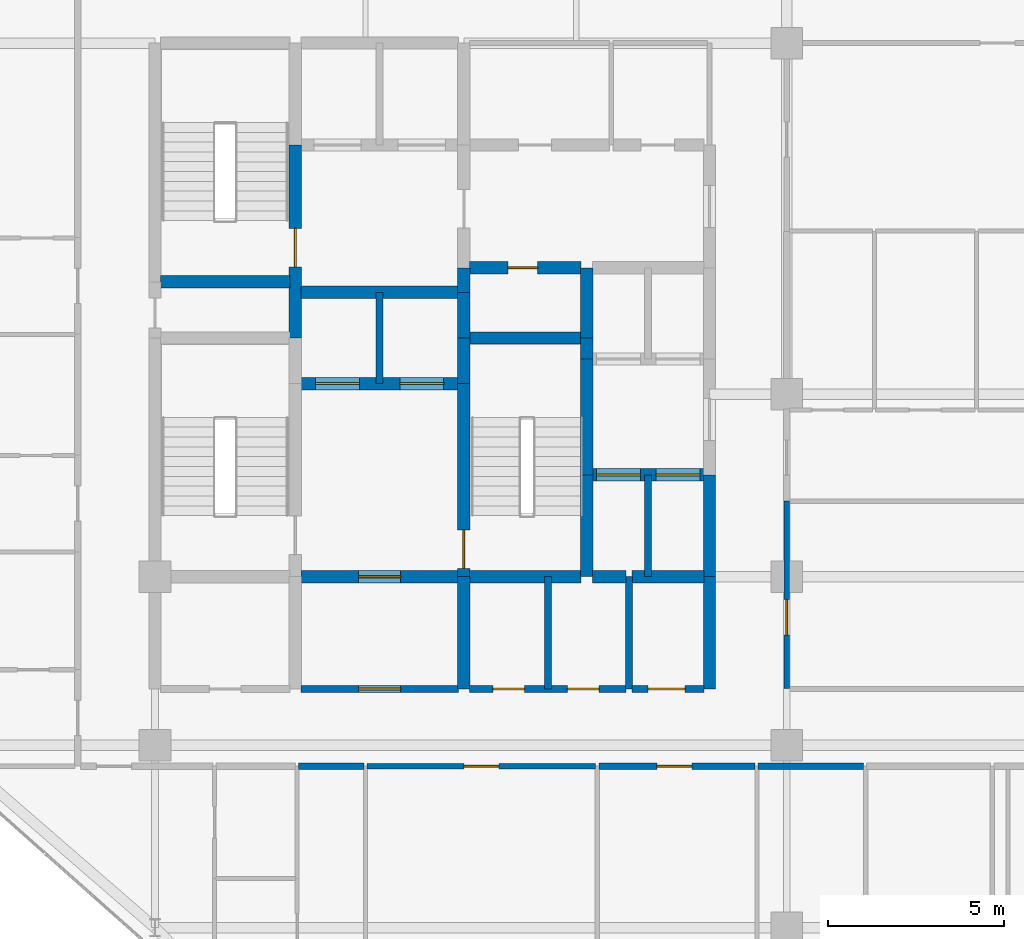
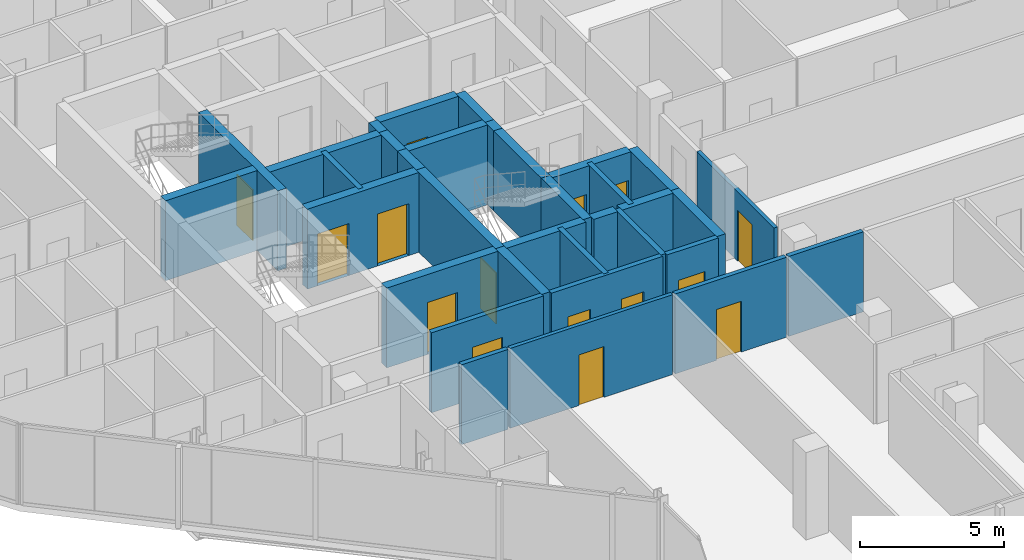
# One storey, part 26 of 31: 34 walls, 15 doors, 15 openings.
"""IFC4 building model written with IfcOpenShell, lengths in metres."""

from ifc_helpers import new_model, si_unit, direction, frame, frame_2d, origin, place, context, subcontext, project, spatial, rectangle, extrude, material, layer, layer_set, type_object, element, fill, save


model = new_model("IFC4")

# Units and contexts
model_context = context("Model", 3, precision=1e-05, world=origin(), true_north=direction((0.0, 1.0)))
body_context = subcontext(model_context, "Body", "Model", "MODEL_VIEW")
ifc_project = project(units=[si_unit("LENGTHUNIT", "METRE"), si_unit("AREAUNIT", "SQUARE_METRE"), si_unit("VOLUMEUNIT", "CUBIC_METRE"), si_unit("PLANEANGLEUNIT", "RADIAN"), si_unit("MASSUNIT", "GRAM", prefix="KILO")], contexts=[model_context])

# Site, building, storey
site_placement = place(None, origin())
site = spatial("IfcSite", under=ifc_project, at=site_placement, CompositionType="ELEMENT")
building_placement = place(site_placement, origin())
building = spatial("IfcBuilding", under=site, at=building_placement, Name="Keshet Zoharim Tower", CompositionType="ELEMENT")
storey_placement = place(building_placement, frame((0.0, 0.0, 133.5)))
storey = spatial("IfcBuildingStorey", under=building, at=storey_placement, Name="L32", CompositionType="ELEMENT", Elevation=133.5)

# Wall, opening, door
ifc_material_1 = material(Name="Gypsum Plasterboard", Category="gypsum")
ifc_layer_1 = layer(ifc_material_1, 0.14990234375)
ifc_layer_set_1 = layer_set([ifc_layer_1], Name="Gypsum Plasterboard")
wall_type_1 = type_object("IfcWallType", Name="WL-CLIN-150", PredefinedType="STANDARD", material=ifc_layer_set_1)
wall_1_placement = place(storey_placement, frame((33.0, 19.510009765625, 0.0), z_axis=(0.0, 0.0, 1.0), x_axis=(0.0, 1.0, 0.0)))
wall_1 = element("IfcWall", 1, at=wall_1_placement, inside=storey, type_object=wall_type_1, Name="L32 Interior Wall 068", PredefinedType="STANDARD", context=body_context, shape_type="SweptSolid", body=[
    extrude(rectangle(XDim=5.35009765625, YDim=0.14990234375, at=frame_2d((2.675048828125, 0.0))), origin(), (0.0, 0.0, 1.0), 2.93505859375),
])
opening_1_placement = place(wall_1_placement, frame((1.533935546875, 0.0, 0.0)))
opening_1 = element("IfcOpeningElement", 2, at=opening_1_placement, cuts=wall_1, Name="Opening D-F310", PredefinedType="OPENING", context=body_context, shape_type="SweptSolid", body=[
    extrude(rectangle(XDim=1.0, YDim=2.14990234375, at=frame_2d((0.5, 1.074951171875))), frame((0.0, 0.0849609375, 0.0), z_axis=(0.0, -1.0, 0.0), x_axis=(1.0, 0.0, 0.0)), (0.0, 0.0, 1.0), 0.169921875),
])
ifc_material_2 = material(Name="Hardwood Timber", Category="wood")
door_type_1 = type_object("IfcDoorType", Name="DR-FD30-100", OperationType="NOTDEFINED", PredefinedType="DOOR", material=ifc_material_2)
door_1_placement = place(opening_1_placement, origin())
door_1 = element("IfcDoor", 3, at=door_1_placement, inside=storey, type_object=door_type_1, Name="L32 South East Residents Services Suite Door 2", OperationType="SINGLE_SWING_LEFT", OverallHeight=2.14990234375, OverallWidth=1.0, PredefinedType="DOOR", context=body_context, shape_type="SweptSolid", body=[
    extrude(rectangle(XDim=1.0, YDim=2.14990234375, at=frame_2d((0.5, 1.074951171875))), frame((0.0, 0.02490234375, 0.0), z_axis=(0.0, -1.0, 0.0), x_axis=(1.0, 0.0, 0.0)), (0.0, 0.0, 1.0), 0.050048828125),
])
fill(opening_1, door_1)

wall_2_placement = place(storey_placement, frame((21.044921875, 17.300048828125, 0.0), z_axis=(0.0, 0.0, 1.0), x_axis=(1.0, 0.0, 0.0)))
wall_2 = element("IfcWall", 4, at=wall_2_placement, inside=storey, type_object=wall_type_1, Name="L32 Interior Wall 126", PredefinedType="STANDARD", context=body_context, shape_type="SweptSolid", body=[
    extrude(rectangle(XDim=6.510009765625, YDim=0.14990234375, at=frame_2d((3.2548828125, 0.0))), origin(), (0.0, 0.0, 1.0), 3.385009765625),
])
opening_2_placement = place(wall_2_placement, frame((2.7548828125, 0.0, 0.0)))
opening_2 = element("IfcOpeningElement", 5, at=opening_2_placement, cuts=wall_2, Name="Opening D-F310", PredefinedType="OPENING", context=body_context, shape_type="SweptSolid", body=[
    extrude(rectangle(XDim=1.0, YDim=2.14990234375, at=frame_2d((0.5, 1.074951171875))), frame((0.0, 0.0849609375, 0.0), z_axis=(0.0, -1.0, 0.0), x_axis=(1.0, 0.0, 0.0)), (0.0, 0.0, 1.0), 0.169921875),
])
door_2_placement = place(opening_2_placement, origin())
door_2 = element("IfcDoor", 6, at=door_2_placement, inside=storey, type_object=door_type_1, Name="L32 Floor Children Playroom Door", OperationType="SINGLE_SWING_RIGHT", OverallHeight=2.14990234375, OverallWidth=1.0, PredefinedType="DOOR", context=body_context, shape_type="SweptSolid", body=[
    extrude(rectangle(XDim=1.0, YDim=2.14990234375, at=frame_2d((0.5, 1.074951171875))), frame((0.0, 0.02490234375, 0.0), z_axis=(0.0, -1.0, 0.0), x_axis=(1.0, 0.0, 0.0)), (0.0, 0.0, 1.0), 0.050048828125),
])
fill(opening_2, door_2)

ifc_material_3 = material(Name="Concrete C60/75", Category="concrete")
ifc_layer_2 = layer(ifc_material_3, 0.35009765625)
ifc_layer_set_2 = layer_set([ifc_layer_2], Name="Concrete C60/75")
wall_type_2 = type_object("IfcWallType", Name="WL-CORE-350", PredefinedType="SHEAR", material=ifc_layer_set_2)
wall_3_placement = place(storey_placement, frame((19.0, 29.5, 0.0), z_axis=(0.0, 0.0, 1.0), x_axis=(0.0, 1.0, 0.0)))
wall_3 = element("IfcWall", 7, at=wall_3_placement, inside=storey, type_object=wall_type_2, Name="L32 Core Shear Wall 026", PredefinedType="SHEAR", context=body_context, shape_type="SweptSolid", body=[
    extrude(rectangle(XDim=5.5, YDim=0.35009765625, at=frame_2d((2.75, 0.0))), origin(), (0.0, 0.0, 1.0), 3.385009765625),
])
opening_3_placement = place(wall_3_placement, frame((2.02490234375, 0.0, 0.0)))
opening_3 = element("IfcOpeningElement", 8, at=opening_3_placement, cuts=wall_3, Name="Opening D-F611", PredefinedType="OPENING", context=body_context, shape_type="SweptSolid", body=[
    extrude(rectangle(XDim=1.10009765625, YDim=2.14990234375, at=frame_2d((0.550048828125, 1.074951171875))), frame((0.0, 0.18505859375, 0.0), z_axis=(0.0, -1.0, 0.0), x_axis=(1.0, 0.0, 0.0)), (0.0, 0.0, 1.0), 0.3701171875),
])
door_type_2 = type_object("IfcDoorType", Name="DR-FD60-110", OperationType="NOTDEFINED", PredefinedType="DOOR", material=ifc_material_2)
door_3_placement = place(opening_3_placement, origin())
door_3 = element("IfcDoor", 9, at=door_3_placement, inside=storey, type_object=door_type_2, Name="L32 Exit Stair ST-02 Fire Door", OperationType="SINGLE_SWING_LEFT", OverallHeight=2.14990234375, OverallWidth=1.10009765625, PredefinedType="DOOR", context=body_context, shape_type="SweptSolid", body=[
    extrude(rectangle(XDim=1.10009765625, YDim=2.14990234375, at=frame_2d((0.550048828125, 1.074951171875))), frame((0.0, 0.02490234375, 0.0), z_axis=(0.0, -1.0, 0.0), x_axis=(1.0, 0.0, 0.0)), (0.0, 0.0, 1.0), 0.050048828125),
])
fill(opening_3, door_3)

# Wall
wall_4_placement = place(storey_placement, frame((23.800048828125, 19.5, 0.0), z_axis=(0.0, 0.0, 1.0), x_axis=(0.0, 1.0, 0.0)))
element("IfcWall", 10, at=wall_4_placement, inside=storey, type_object=wall_type_2, Name="L32 Core Shear Wall 037", PredefinedType="SHEAR", context=body_context, shape_type="SweptSolid", body=[
    extrude(rectangle(XDim=3.199951171875, YDim=0.35009765625, at=frame_2d((1.60009765625, 0.0))), origin(), (0.0, 0.0, 1.0), 3.385009765625),
])

# Wall, opening, door
wall_5_placement = place(storey_placement, frame((23.800048828125, 22.699951171875, 0.0), z_axis=(0.0, 0.0, 1.0), x_axis=(0.0, 1.0, 0.0)))
wall_5 = element("IfcWall", 11, at=wall_5_placement, inside=storey, type_object=wall_type_2, Name="L32 Core Shear Wall 038", PredefinedType="SHEAR", context=body_context, shape_type="SweptSolid", body=[
    extrude(rectangle(XDim=5.5, YDim=0.35009765625, at=frame_2d((2.75, 0.0))), origin(), (0.0, 0.0, 1.0), 3.385009765625),
])
opening_4_placement = place(wall_5_placement, frame((0.235107421875, 0.0, 0.0)))
opening_4 = element("IfcOpeningElement", 12, at=opening_4_placement, cuts=wall_5, Name="Opening D-F611", PredefinedType="OPENING", context=body_context, shape_type="SweptSolid", body=[
    extrude(rectangle(XDim=1.10009765625, YDim=2.14990234375, at=frame_2d((0.550048828125, 1.074951171875))), frame((0.0, 0.18505859375, 0.0), z_axis=(0.0, -1.0, 0.0), x_axis=(1.0, 0.0, 0.0)), (0.0, 0.0, 1.0), 0.3701171875),
])
door_4_placement = place(opening_4_placement, frame((1.10009765625, 0.0, 0.0), z_axis=(0.0, 0.0, 1.0), x_axis=(-1.0, 0.0, 0.0)))
door_4 = element("IfcDoor", 13, at=door_4_placement, inside=storey, type_object=door_type_2, Name="L32 Exit Stair ST-03 Fire Door", OperationType="SINGLE_SWING_LEFT", OverallHeight=2.14990234375, OverallWidth=1.10009765625, PredefinedType="DOOR", context=body_context, shape_type="SweptSolid", body=[
    extrude(rectangle(XDim=1.10009765625, YDim=2.14990234375, at=frame_2d((0.550048828125, 1.074951171875))), frame((0.0, 0.02490234375, 0.0), z_axis=(0.0, -1.0, 0.0), x_axis=(1.0, 0.0, 0.0)), (0.0, 0.0, 1.0), 0.050048828125),
])
fill(opening_4, door_4)

# Walls
for number, where, z_axis, x_axis, name in (
    (14, (23.800048828125, 28.199951171875, 0.0), (0.0, 0.0, 1.0), (0.0, 1.0, 0.0), "L32 Core Shear Wall 039"),
    (15, (23.800048828125, 29.5, 0.0), (0.0, 0.0, 1.0), (0.0, 1.0, 0.0), "L32 Core Shear Wall 040"),
):
    element("IfcWall", number, at=place(storey_placement, frame(where, z_axis=z_axis, x_axis=x_axis)), inside=storey, type_object=wall_type_2, Name=name, PredefinedType="SHEAR", context=body_context, shape_type="SweptSolid", body=[
        extrude(rectangle(XDim=1.300048828125, YDim=0.35009765625, at=frame_2d((0.64990234375, 0.0))), origin(), (0.0, 0.0, 1.0), 3.385009765625),
    ])
wall_6_placement = place(storey_placement, frame((23.800048828125, 30.800048828125, 0.0), z_axis=(0.0, 0.0, 1.0), x_axis=(0.0, 1.0, 0.0)))
element("IfcWall", 16, at=wall_6_placement, inside=storey, type_object=wall_type_2, Name="L32 Core Shear Wall 041", PredefinedType="SHEAR", context=body_context, shape_type="SweptSolid", body=[
    extrude(rectangle(XDim=0.699951171875, YDim=0.35009765625, at=frame_2d((0.35009765625, 0.0))), origin(), (0.0, 0.0, 1.0), 3.385009765625),
])
wall_7_placement = place(storey_placement, frame((27.300048828125, 22.699951171875, 0.0), z_axis=(0.0, 0.0, 1.0), x_axis=(0.0, 1.0, 0.0)))
element("IfcWall", 17, at=wall_7_placement, inside=storey, type_object=wall_type_2, Name="L32 Core Shear Wall 047", PredefinedType="SHEAR", context=body_context, shape_type="SweptSolid", body=[
    extrude(rectangle(XDim=2.900146484375, YDim=0.35009765625, at=frame_2d((1.4501953125, 0.0))), origin(), (0.0, 0.0, 1.0), 3.385009765625),
])
wall_8_placement = place(storey_placement, frame((27.300048828125, 25.60009765625, 0.0), z_axis=(0.0, 0.0, 1.0), x_axis=(0.0, 1.0, 0.0)))
element("IfcWall", 18, at=wall_8_placement, inside=storey, type_object=wall_type_2, Name="L32 Core Shear Wall 048", PredefinedType="SHEAR", context=body_context, shape_type="SweptSolid", body=[
    extrude(rectangle(XDim=3.2998046875, YDim=0.35009765625, at=frame_2d((1.64990234375, 0.0))), origin(), (0.0, 0.0, 1.0), 3.385009765625),
])
wall_9_placement = place(storey_placement, frame((27.300048828125, 28.89990234375, 0.0), z_axis=(0.0, 0.0, 1.0), x_axis=(0.0, 1.0, 0.0)))
element("IfcWall", 19, at=wall_9_placement, inside=storey, type_object=wall_type_2, Name="L32 Core Shear Wall 049", PredefinedType="SHEAR", context=body_context, shape_type="SweptSolid", body=[
    extrude(rectangle(XDim=0.60009765625, YDim=0.35009765625, at=frame_2d((0.300048828125, 0.0))), origin(), (0.0, 0.0, 1.0), 3.385009765625),
])
wall_10_placement = place(storey_placement, frame((27.300048828125, 29.5, 0.0), z_axis=(0.0, 0.0, 1.0), x_axis=(0.0, 1.0, 0.0)))
element("IfcWall", 20, at=wall_10_placement, inside=storey, type_object=wall_type_2, Name="L32 Core Shear Wall 050", PredefinedType="SHEAR", context=body_context, shape_type="SweptSolid", body=[
    extrude(rectangle(XDim=2.0, YDim=0.35009765625, at=frame_2d((1.0, 0.0))), origin(), (0.0, 0.0, 1.0), 3.385009765625),
])
wall_11_placement = place(storey_placement, frame((30.800048828125, 19.5, 0.0), z_axis=(0.0, 0.0, 1.0), x_axis=(0.0, 1.0, 0.0)))
element("IfcWall", 21, at=wall_11_placement, inside=storey, type_object=wall_type_2, Name="L32 Core Shear Wall 059", PredefinedType="SHEAR", context=body_context, shape_type="SweptSolid", body=[
    extrude(rectangle(XDim=3.199951171875, YDim=0.35009765625, at=frame_2d((1.60009765625, 0.0))), origin(), (0.0, 0.0, 1.0), 3.385009765625),
])
wall_12_placement = place(storey_placement, frame((30.800048828125, 22.699951171875, 0.0), z_axis=(0.0, 0.0, 1.0), x_axis=(0.0, 1.0, 0.0)))
element("IfcWall", 22, at=wall_12_placement, inside=storey, type_object=wall_type_2, Name="L32 Core Shear Wall 060", PredefinedType="SHEAR", context=body_context, shape_type="SweptSolid", body=[
    extrude(rectangle(XDim=2.900146484375, YDim=0.35009765625, at=frame_2d((1.4501953125, 0.0))), origin(), (0.0, 0.0, 1.0), 3.385009765625),
])

# Wall, opening, door
wall_13_placement = place(storey_placement, frame((19.159912109375, 22.699951171875, 0.0), z_axis=(0.0, 0.0, 1.0), x_axis=(1.0, 0.0, 0.0)))
wall_13 = element("IfcWall", 23, at=wall_13_placement, inside=storey, type_object=wall_type_2, Name="L32 Core Shear Wall 144", PredefinedType="SHEAR", context=body_context, shape_type="SweptSolid", body=[
    extrude(rectangle(XDim=4.47998046875, YDim=0.35009765625, at=frame_2d((2.239990234375, 0.0))), origin(), (0.0, 0.0, 1.0), 3.385009765625),
])
opening_5_placement = place(wall_13_placement, frame((1.639892578125, 0.0, 0.0)))
opening_5 = element("IfcOpeningElement", 24, at=opening_5_placement, cuts=wall_13, Name="Opening D-F612", PredefinedType="OPENING", context=body_context, shape_type="SweptSolid", body=[
    extrude(rectangle(XDim=1.199951171875, YDim=2.199951171875, at=frame_2d((0.60009765625, 1.10009765625))), frame((0.0, 0.18505859375, 0.0), z_axis=(0.0, -1.0, 0.0), x_axis=(1.0, 0.0, 0.0)), (0.0, 0.0, 1.0), 0.3701171875),
])
door_type_3 = type_object("IfcDoorType", Name="DR-FD60-120", OperationType="NOTDEFINED", PredefinedType="DOOR", material=ifc_material_2)
door_5_placement = place(opening_5_placement, origin())
door_5 = element("IfcDoor", 25, at=door_5_placement, inside=storey, type_object=door_type_3, Name="L32 South Core Lobby Fire Door", OperationType="SINGLE_SWING_LEFT", OverallHeight=2.199951171875, OverallWidth=1.199951171875, PredefinedType="DOOR", context=body_context, shape_type="SweptSolid", body=[
    extrude(rectangle(XDim=1.199951171875, YDim=2.199951171875, at=frame_2d((0.60009765625, 1.10009765625))), frame((0.0, 0.02490234375, 0.0), z_axis=(0.0, -1.0, 0.0), x_axis=(1.0, 0.0, 0.0)), (0.0, 0.0, 1.0), 0.050048828125),
])
fill(opening_5, door_5)

# Walls
wall_14_placement = place(storey_placement, frame((23.9599609375, 22.699951171875, 0.0), z_axis=(0.0, 0.0, 1.0), x_axis=(1.0, 0.0, 0.0)))
element("IfcWall", 26, at=wall_14_placement, inside=storey, type_object=wall_type_2, Name="L32 Core Shear Wall 145", PredefinedType="SHEAR", context=body_context, shape_type="SweptSolid", body=[
    extrude(rectangle(XDim=3.179931640625, YDim=0.35009765625, at=frame_2d((1.58984375, 0.0))), origin(), (0.0, 0.0, 1.0), 3.385009765625),
])
wall_15_placement = place(storey_placement, frame((27.4599609375, 22.699951171875, 0.0), z_axis=(0.0, 0.0, 1.0), x_axis=(1.0, 0.0, 0.0)))
element("IfcWall", 27, at=wall_15_placement, inside=storey, type_object=wall_type_2, Name="L32 Core Shear Wall 146", PredefinedType="SHEAR", context=body_context, shape_type="SweptSolid", body=[
    extrude(rectangle(XDim=0.955078125, YDim=0.35009765625, at=frame_2d((0.4775390625, 0.0))), origin(), (0.0, 0.0, 1.0), 3.385009765625),
])
wall_16_placement = place(storey_placement, frame((28.5849609375, 22.699951171875, 0.0), z_axis=(0.0, 0.0, 1.0), x_axis=(1.0, 0.0, 0.0)))
element("IfcWall", 28, at=wall_16_placement, inside=storey, type_object=wall_type_2, Name="L32 Core Shear Wall 147", PredefinedType="SHEAR", context=body_context, shape_type="SweptSolid", body=[
    extrude(rectangle(XDim=2.054931640625, YDim=0.35009765625, at=frame_2d((1.02734375, 0.0))), origin(), (0.0, 0.0, 1.0), 3.385009765625),
])

# Wall, openings, doors
wall_17_placement = place(storey_placement, frame((27.4599609375, 25.60009765625, 0.0), z_axis=(0.0, 0.0, 1.0), x_axis=(1.0, 0.0, 0.0)))
wall_17 = element("IfcWall", 29, at=wall_17_placement, inside=storey, type_object=wall_type_2, Name="L32 Core Shear Wall 152", PredefinedType="SHEAR", context=body_context, shape_type="SweptSolid", body=[
    extrude(rectangle(XDim=3.179931640625, YDim=0.35009765625, at=frame_2d((1.58984375, 0.0))), origin(), (0.0, 0.0, 1.0), 3.385009765625),
])
opening_6_placement = place(wall_17_placement, frame((0.1201171875, 0.0, 0.0)))
opening_6 = element("IfcOpeningElement", 30, at=opening_6_placement, cuts=wall_17, Name="Opening LD-01", PredefinedType="OPENING", context=body_context, shape_type="SweptSolid", body=[
    extrude(rectangle(XDim=1.25, YDim=2.199951171875, at=frame_2d((0.625, 1.10009765625))), frame((0.0, 0.18505859375, 0.0), z_axis=(0.0, -1.0, 0.0), x_axis=(1.0, 0.0, 0.0)), (0.0, 0.0, 1.0), 0.3701171875),
])
opening_7_placement = place(wall_17_placement, frame((1.81005859375, 0.0, 0.0)))
opening_7 = element("IfcOpeningElement", 31, at=opening_7_placement, cuts=wall_17, Name="Opening LD-01", PredefinedType="OPENING", context=body_context, shape_type="SweptSolid", body=[
    extrude(rectangle(XDim=1.25, YDim=2.199951171875, at=frame_2d((0.625, 1.10009765625))), frame((0.0, 0.18505859375, 0.0), z_axis=(0.0, -1.0, 0.0), x_axis=(1.0, 0.0, 0.0)), (0.0, 0.0, 1.0), 0.3701171875),
])
ifc_material_4 = material(Name="Steel S355", Category="steel")
door_type_4 = type_object("IfcDoorType", Name="DR-LD01-125", OperationType="DOUBLE_DOOR_SLIDING", PredefinedType="DOOR", material=ifc_material_4)
door_6_placement = place(opening_6_placement, origin())
door_6 = element("IfcDoor", 32, at=door_6_placement, inside=storey, type_object=door_type_4, Name="L32 Passenger Lift Landing Door LF-07", OperationType="DOUBLE_DOOR_SLIDING", OverallHeight=2.199951171875, OverallWidth=1.25, PredefinedType="DOOR", context=body_context, shape_type="SweptSolid", body=[
    extrude(rectangle(XDim=1.25, YDim=2.199951171875, at=frame_2d((0.625, 1.10009765625))), frame((0.0, 0.02490234375, 0.0), z_axis=(0.0, -1.0, 0.0), x_axis=(1.0, 0.0, 0.0)), (0.0, 0.0, 1.0), 0.050048828125),
])
fill(opening_6, door_6)
door_7_placement = place(opening_7_placement, origin())
door_7 = element("IfcDoor", 33, at=door_7_placement, inside=storey, type_object=door_type_4, Name="L32 Passenger Lift Landing Door LF-08", OperationType="DOUBLE_DOOR_SLIDING", OverallHeight=2.199951171875, OverallWidth=1.25, PredefinedType="DOOR", context=body_context, shape_type="SweptSolid", body=[
    extrude(rectangle(XDim=1.25, YDim=2.199951171875, at=frame_2d((0.625, 1.10009765625))), frame((0.0, 0.02490234375, 0.0), z_axis=(0.0, -1.0, 0.0), x_axis=(1.0, 0.0, 0.0)), (0.0, 0.0, 1.0), 0.050048828125),
])
fill(opening_7, door_7)

wall_18_placement = place(storey_placement, frame((19.159912109375, 28.199951171875, 0.0), z_axis=(0.0, 0.0, 1.0), x_axis=(1.0, 0.0, 0.0)))
wall_18 = element("IfcWall", 34, at=wall_18_placement, inside=storey, type_object=wall_type_2, Name="L32 Core Shear Wall 159", PredefinedType="SHEAR", context=body_context, shape_type="SweptSolid", body=[
    extrude(rectangle(XDim=4.47998046875, YDim=0.35009765625, at=frame_2d((2.239990234375, 0.0))), origin(), (0.0, 0.0, 1.0), 3.385009765625),
])
opening_8_placement = place(wall_18_placement, frame((0.4150390625, 0.0, 0.0)))
opening_8 = element("IfcOpeningElement", 35, at=opening_8_placement, cuts=wall_18, Name="Opening LD-01", PredefinedType="OPENING", context=body_context, shape_type="SweptSolid", body=[
    extrude(rectangle(XDim=1.25, YDim=2.199951171875, at=frame_2d((0.625, 1.10009765625))), frame((0.0, 0.18505859375, 0.0), z_axis=(0.0, -1.0, 0.0), x_axis=(1.0, 0.0, 0.0)), (0.0, 0.0, 1.0), 0.3701171875),
])
opening_9_placement = place(wall_18_placement, frame((2.81494140625, 0.0, 0.0)))
opening_9 = element("IfcOpeningElement", 36, at=opening_9_placement, cuts=wall_18, Name="Opening LD-01", PredefinedType="OPENING", context=body_context, shape_type="SweptSolid", body=[
    extrude(rectangle(XDim=1.25, YDim=2.199951171875, at=frame_2d((0.625, 1.10009765625))), frame((0.0, 0.18505859375, 0.0), z_axis=(0.0, -1.0, 0.0), x_axis=(1.0, 0.0, 0.0)), (0.0, 0.0, 1.0), 0.3701171875),
])
door_8_placement = place(opening_8_placement, origin())
door_8 = element("IfcDoor", 37, at=door_8_placement, inside=storey, type_object=door_type_4, Name="L32 Passenger Lift Landing Door LF-09", OperationType="DOUBLE_DOOR_SLIDING", OverallHeight=2.199951171875, OverallWidth=1.25, PredefinedType="DOOR", context=body_context, shape_type="SweptSolid", body=[
    extrude(rectangle(XDim=1.25, YDim=2.199951171875, at=frame_2d((0.625, 1.10009765625))), frame((0.0, 0.02490234375, 0.0), z_axis=(0.0, -1.0, 0.0), x_axis=(1.0, 0.0, 0.0)), (0.0, 0.0, 1.0), 0.050048828125),
])
fill(opening_8, door_8)
door_9_placement = place(opening_9_placement, origin())
door_9 = element("IfcDoor", 38, at=door_9_placement, inside=storey, type_object=door_type_4, Name="L32 Passenger Lift Landing Door LF-10", OperationType="DOUBLE_DOOR_SLIDING", OverallHeight=2.199951171875, OverallWidth=1.25, PredefinedType="DOOR", context=body_context, shape_type="SweptSolid", body=[
    extrude(rectangle(XDim=1.25, YDim=2.199951171875, at=frame_2d((0.625, 1.10009765625))), frame((0.0, 0.02490234375, 0.0), z_axis=(0.0, -1.0, 0.0), x_axis=(1.0, 0.0, 0.0)), (0.0, 0.0, 1.0), 0.050048828125),
])
fill(opening_9, door_9)

# Walls
wall_19_placement = place(storey_placement, frame((23.9599609375, 29.5, 0.0), z_axis=(0.0, 0.0, 1.0), x_axis=(1.0, 0.0, 0.0)))
element("IfcWall", 39, at=wall_19_placement, inside=storey, type_object=wall_type_2, Name="L32 Core Shear Wall 162", PredefinedType="SHEAR", context=body_context, shape_type="SweptSolid", body=[
    extrude(rectangle(XDim=3.179931640625, YDim=0.35009765625, at=frame_2d((1.58984375, 0.0))), origin(), (0.0, 0.0, 1.0), 3.385009765625),
])
wall_20_placement = place(storey_placement, frame((19.159912109375, 30.800048828125, 0.0), z_axis=(0.0, 0.0, 1.0), x_axis=(1.0, 0.0, 0.0)))
element("IfcWall", 40, at=wall_20_placement, inside=storey, type_object=wall_type_2, Name="L32 Core Shear Wall 166", PredefinedType="SHEAR", context=body_context, shape_type="SweptSolid", body=[
    extrude(rectangle(XDim=4.47998046875, YDim=0.35009765625, at=frame_2d((2.239990234375, 0.0))), origin(), (0.0, 0.0, 1.0), 3.385009765625),
])
wall_21_placement = place(storey_placement, frame((15.159912109375, 31.10009765625, 0.0), z_axis=(0.0, 0.0, 1.0), x_axis=(1.0, 0.0, 0.0)))
element("IfcWall", 41, at=wall_21_placement, inside=storey, type_object=wall_type_2, Name="L32 Core Shear Wall 167", PredefinedType="SHEAR", context=body_context, shape_type="SweptSolid", body=[
    extrude(rectangle(XDim=3.68017578125, YDim=0.35009765625, at=frame_2d((1.840087890625, 0.0))), origin(), (0.0, 0.0, 1.0), 3.385009765625),
])

# Wall, opening, door
wall_22_placement = place(storey_placement, frame((23.9599609375, 31.5, 0.0), z_axis=(0.0, 0.0, 1.0), x_axis=(1.0, 0.0, 0.0)))
wall_22 = element("IfcWall", 42, at=wall_22_placement, inside=storey, type_object=wall_type_2, Name="L32 Core Shear Wall 168", PredefinedType="SHEAR", context=body_context, shape_type="SweptSolid", body=[
    extrude(rectangle(XDim=3.179931640625, YDim=0.35009765625, at=frame_2d((1.58984375, 0.0))), origin(), (0.0, 0.0, 1.0), 3.385009765625),
])
opening_10_placement = place(wall_22_placement, frame((1.093994140625, 0.0, 0.0)))
opening_10 = element("IfcOpeningElement", 43, at=opening_10_placement, cuts=wall_22, Name="Opening D-RS85", PredefinedType="OPENING", context=body_context, shape_type="SweptSolid", body=[
    extrude(rectangle(XDim=0.85009765625, YDim=2.10009765625, at=frame_2d((0.425048828125, 1.050048828125))), frame((0.0, 0.18505859375, 0.0), z_axis=(0.0, -1.0, 0.0), x_axis=(1.0, 0.0, 0.0)), (0.0, 0.0, 1.0), 0.3701171875),
])
door_type_5 = type_object("IfcDoorType", Name="DR-RIS-085", OperationType="NOTDEFINED", PredefinedType="DOOR", material=ifc_material_2)
door_10_placement = place(opening_10_placement, origin())
door_10 = element("IfcDoor", 44, at=door_10_placement, inside=storey, type_object=door_type_5, Name="L32 Telecom Riser Access Cupboard Door", OperationType="SINGLE_SWING_RIGHT", OverallHeight=2.10009765625, OverallWidth=0.85009765625, PredefinedType="DOOR", context=body_context, shape_type="SweptSolid", body=[
    extrude(rectangle(XDim=0.85009765625, YDim=2.10009765625, at=frame_2d((0.425048828125, 1.050048828125))), frame((0.0, 0.02490234375, 0.0), z_axis=(0.0, -1.0, 0.0), x_axis=(1.0, 0.0, 0.0)), (0.0, 0.0, 1.0), 0.050048828125),
])
fill(opening_10, door_10)

# Wall
ifc_layer_3 = layer(ifc_material_1, 0.179931640625)
ifc_layer_set_3 = layer_set([ifc_layer_3], Name="Gypsum Plasterboard")
wall_type_3 = type_object("IfcWallType", Name="WL-CORR-180", PredefinedType="STANDARD", material=ifc_layer_set_3)
wall_23_placement = place(storey_placement, frame((19.094970703125, 17.300048828125, 0.0), z_axis=(0.0, 0.0, 1.0), x_axis=(1.0, 0.0, 0.0)))
element("IfcWall", 45, at=wall_23_placement, inside=storey, type_object=wall_type_3, Name="L32 Interior Wall 125", PredefinedType="STANDARD", context=body_context, shape_type="SweptSolid", body=[
    extrude(rectangle(XDim=1.860107421875, YDim=0.179931640625, at=frame_2d((0.93017578125, 0.0))), origin(), (0.0, 0.0, 1.0), 3.385009765625),
])

# Wall, opening, door
wall_24_placement = place(storey_placement, frame((27.64501953125, 17.300048828125, 0.0), z_axis=(0.0, 0.0, 1.0), x_axis=(1.0, 0.0, 0.0)))
wall_24 = element("IfcWall", 46, at=wall_24_placement, inside=storey, type_object=wall_type_3, Name="L32 Interior Wall 127", PredefinedType="STANDARD", context=body_context, shape_type="SweptSolid", body=[
    extrude(rectangle(XDim=4.449951171875, YDim=0.179931640625, at=frame_2d((2.22509765625, 0.0))), origin(), (0.0, 0.0, 1.0), 3.385009765625),
])
opening_11_placement = place(wall_24_placement, frame((1.653076171875, 0.0, 0.0)))
opening_11 = element("IfcOpeningElement", 47, at=opening_11_placement, cuts=wall_24, Name="Opening D-F310", PredefinedType="OPENING", context=body_context, shape_type="SweptSolid", body=[
    extrude(rectangle(XDim=1.0, YDim=2.14990234375, at=frame_2d((0.5, 1.074951171875))), frame((0.0, 0.10009765625, 0.0), z_axis=(0.0, -1.0, 0.0), x_axis=(1.0, 0.0, 0.0)), (0.0, 0.0, 1.0), 0.199951171875),
])
door_11_placement = place(opening_11_placement, origin())
door_11 = element("IfcDoor", 48, at=door_11_placement, inside=storey, type_object=door_type_1, Name="Apartment 3202 Entrance Door", OperationType="SINGLE_SWING_LEFT", OverallHeight=2.14990234375, OverallWidth=1.0, PredefinedType="DOOR", context=body_context, shape_type="SweptSolid", body=[
    extrude(rectangle(XDim=1.0, YDim=2.14990234375, at=frame_2d((0.5, 1.074951171875))), frame((0.0, 0.02490234375, 0.0), z_axis=(0.0, -1.0, 0.0), x_axis=(1.0, 0.0, 0.0)), (0.0, 0.0, 1.0), 0.050048828125),
])
fill(opening_11, door_11)

# Walls
wall_25_placement = place(storey_placement, frame((32.18505859375, 17.300048828125, 0.0), z_axis=(0.0, 0.0, 1.0), x_axis=(1.0, 0.0, 0.0)))
element("IfcWall", 49, at=wall_25_placement, inside=storey, type_object=wall_type_3, Name="L32 Interior Wall 128", PredefinedType="STANDARD", context=body_context, shape_type="SweptSolid", body=[
    extrude(rectangle(XDim=2.996826171875, YDim=0.179931640625, at=frame_2d((1.49853515625, 0.0))), origin(), (0.0, 0.0, 1.0), 3.385009765625),
])
ifc_material_5 = material(Name="Concrete C50/60", Category="concrete")
ifc_layer_4 = layer(ifc_material_5, 0.199951171875)
ifc_layer_set_4 = layer_set([ifc_layer_4], Name="Concrete C50/60")
wall_type_4 = type_object("IfcWallType", Name="WL-FIRE-200", PredefinedType="STANDARD", material=ifc_layer_set_4)
wall_26_placement = place(storey_placement, frame((21.39990234375, 28.199951171875, 0.0), z_axis=(0.0, 0.0, 1.0), x_axis=(0.0, 1.0, 0.0)))
element("IfcWall", 50, at=wall_26_placement, inside=storey, type_object=wall_type_4, Name="L32 Interior Wall 034", PredefinedType="STANDARD", context=body_context, shape_type="SweptSolid", body=[
    extrude(rectangle(XDim=2.60009765625, YDim=0.199951171875, at=frame_2d((1.300048828125, 0.0))), origin(), (0.0, 0.0, 1.0), 3.385009765625),
])
for number, where, z_axis, x_axis, name in (
    (51, (26.199951171875, 19.5, 0.0), (0.0, 0.0, 1.0), (0.0, 1.0, 0.0), "L32 Interior Wall 046"),
    (52, (28.5, 19.5, 0.0), (0.0, 0.0, 1.0), (0.0, 1.0, 0.0), "L32 Interior Wall 053"),
):
    element("IfcWall", number, at=place(storey_placement, frame(where, z_axis=z_axis, x_axis=x_axis)), inside=storey, type_object=wall_type_4, Name=name, PredefinedType="STANDARD", context=body_context, shape_type="SweptSolid", body=[
        extrude(rectangle(XDim=3.199951171875, YDim=0.199951171875, at=frame_2d((1.60009765625, 0.0))), origin(), (0.0, 0.0, 1.0), 3.385009765625),
    ])
wall_27_placement = place(storey_placement, frame((29.050048828125, 22.699951171875, 0.0), z_axis=(0.0, 0.0, 1.0), x_axis=(0.0, 1.0, 0.0)))
element("IfcWall", 53, at=wall_27_placement, inside=storey, type_object=wall_type_4, Name="L32 Interior Wall 054", PredefinedType="STANDARD", context=body_context, shape_type="SweptSolid", body=[
    extrude(rectangle(XDim=2.900146484375, YDim=0.199951171875, at=frame_2d((1.4501953125, 0.0))), origin(), (0.0, 0.0, 1.0), 3.385009765625),
])

# Wall, opening, door
wall_28_placement = place(storey_placement, frame((19.159912109375, 19.5, 0.0), z_axis=(0.0, 0.0, 1.0), x_axis=(1.0, 0.0, 0.0)))
wall_28 = element("IfcWall", 54, at=wall_28_placement, inside=storey, type_object=wall_type_4, Name="L32 Interior Wall 136", PredefinedType="STANDARD", context=body_context, shape_type="SweptSolid", body=[
    extrude(rectangle(XDim=4.47998046875, YDim=0.199951171875, at=frame_2d((2.239990234375, 0.0))), origin(), (0.0, 0.0, 1.0), 3.385009765625),
])
opening_12_placement = place(wall_28_placement, frame((1.639892578125, 0.0, 0.0)))
opening_12 = element("IfcOpeningElement", 55, at=opening_12_placement, cuts=wall_28, Name="Opening D-F612", PredefinedType="OPENING", context=body_context, shape_type="SweptSolid", body=[
    extrude(rectangle(XDim=1.199951171875, YDim=2.199951171875, at=frame_2d((0.60009765625, 1.10009765625))), frame((0.0, 0.10986328125, 0.0), z_axis=(0.0, -1.0, 0.0), x_axis=(1.0, 0.0, 0.0)), (0.0, 0.0, 1.0), 0.219970703125),
])
door_12_placement = place(opening_12_placement, origin())
door_12 = element("IfcDoor", 56, at=door_12_placement, inside=storey, type_object=door_type_3, Name="L32 South Vestibule Corridor Door", OperationType="SINGLE_SWING_LEFT", OverallHeight=2.199951171875, OverallWidth=1.199951171875, PredefinedType="DOOR", context=body_context, shape_type="SweptSolid", body=[
    extrude(rectangle(XDim=1.199951171875, YDim=2.199951171875, at=frame_2d((0.60009765625, 1.10009765625))), frame((0.0, 0.02490234375, 0.0), z_axis=(0.0, -1.0, 0.0), x_axis=(1.0, 0.0, 0.0)), (0.0, 0.0, 1.0), 0.050048828125),
])
fill(opening_12, door_12)

# Wall, openings, doors
wall_29_placement = place(storey_placement, frame((23.9599609375, 19.5, 0.0), z_axis=(0.0, 0.0, 1.0), x_axis=(1.0, 0.0, 0.0)))
wall_29 = element("IfcWall", 57, at=wall_29_placement, inside=storey, type_object=wall_type_4, Name="L32 Interior Wall 137", PredefinedType="STANDARD", context=body_context, shape_type="SweptSolid", body=[
    extrude(rectangle(XDim=4.455078125, YDim=0.199951171875, at=frame_2d((2.2275390625, 0.0))), origin(), (0.0, 0.0, 1.0), 3.385009765625),
])
opening_13_placement = place(wall_29_placement, frame((0.6650390625, 0.0, 0.0)))
opening_13 = element("IfcOpeningElement", 58, at=opening_13_placement, cuts=wall_29, Name="Opening D-F690", PredefinedType="OPENING", context=body_context, shape_type="SweptSolid", body=[
    extrude(rectangle(XDim=0.89990234375, YDim=2.14990234375, at=frame_2d((0.449951171875, 1.074951171875))), frame((0.0, 0.10986328125, 0.0), z_axis=(0.0, -1.0, 0.0), x_axis=(1.0, 0.0, 0.0)), (0.0, 0.0, 1.0), 0.219970703125),
])
opening_14_placement = place(wall_29_placement, frame((2.791015625, 0.0, 0.0)))
opening_14 = element("IfcOpeningElement", 59, at=opening_14_placement, cuts=wall_29, Name="Opening D-F690", PredefinedType="OPENING", context=body_context, shape_type="SweptSolid", body=[
    extrude(rectangle(XDim=0.89990234375, YDim=2.14990234375, at=frame_2d((0.449951171875, 1.074951171875))), frame((0.0, 0.10986328125, 0.0), z_axis=(0.0, -1.0, 0.0), x_axis=(1.0, 0.0, 0.0)), (0.0, 0.0, 1.0), 0.219970703125),
])
door_type_6 = type_object("IfcDoorType", Name="DR-FD60-090", OperationType="NOTDEFINED", PredefinedType="DOOR", material=ifc_material_2)
door_13_placement = place(opening_13_placement, origin())
door_13 = element("IfcDoor", 60, at=door_13_placement, inside=storey, type_object=door_type_6, Name="L32 Switchgear Room Door", OperationType="SINGLE_SWING_RIGHT", OverallHeight=2.14990234375, OverallWidth=0.89990234375, PredefinedType="DOOR", context=body_context, shape_type="SweptSolid", body=[
    extrude(rectangle(XDim=0.89990234375, YDim=2.14990234375, at=frame_2d((0.449951171875, 1.074951171875))), frame((0.0, 0.02490234375, 0.0), z_axis=(0.0, -1.0, 0.0), x_axis=(1.0, 0.0, 0.0)), (0.0, 0.0, 1.0), 0.050048828125),
])
fill(opening_13, door_13)
door_14_placement = place(opening_14_placement, origin())
door_14 = element("IfcDoor", 61, at=door_14_placement, inside=storey, type_object=door_type_6, Name="L32 Telecom Room Door", OperationType="SINGLE_SWING_LEFT", OverallHeight=2.14990234375, OverallWidth=0.89990234375, PredefinedType="DOOR", context=body_context, shape_type="SweptSolid", body=[
    extrude(rectangle(XDim=0.89990234375, YDim=2.14990234375, at=frame_2d((0.449951171875, 1.074951171875))), frame((0.0, 0.02490234375, 0.0), z_axis=(0.0, -1.0, 0.0), x_axis=(1.0, 0.0, 0.0)), (0.0, 0.0, 1.0), 0.050048828125),
])
fill(opening_14, door_14)

# Wall, opening, door
wall_30_placement = place(storey_placement, frame((28.5849609375, 19.5, 0.0), z_axis=(0.0, 0.0, 1.0), x_axis=(1.0, 0.0, 0.0)))
wall_30 = element("IfcWall", 62, at=wall_30_placement, inside=storey, type_object=wall_type_4, Name="L32 Interior Wall 138", PredefinedType="STANDARD", context=body_context, shape_type="SweptSolid", body=[
    extrude(rectangle(XDim=2.054931640625, YDim=0.199951171875, at=frame_2d((1.02734375, 0.0))), origin(), (0.0, 0.0, 1.0), 3.385009765625),
])
opening_15_placement = place(wall_30_placement, frame((0.466064453125, 0.0, 0.0)))
opening_15 = element("IfcOpeningElement", 63, at=opening_15_placement, cuts=wall_30, Name="Opening D-AC10", PredefinedType="OPENING", context=body_context, shape_type="SweptSolid", body=[
    extrude(rectangle(XDim=1.050048828125, YDim=2.14990234375, at=frame_2d((0.52490234375, 1.074951171875))), frame((0.0, 0.10986328125, 0.0), z_axis=(0.0, -1.0, 0.0), x_axis=(1.0, 0.0, 0.0)), (0.0, 0.0, 1.0), 0.219970703125),
])
door_type_7 = type_object("IfcDoorType", Name="DR-ACC-105", OperationType="NOTDEFINED", PredefinedType="DOOR", material=ifc_material_2)
door_15_placement = place(opening_15_placement, origin())
door_15 = element("IfcDoor", 64, at=door_15_placement, inside=storey, type_object=door_type_7, Name="L32 Accessible WC Door", OperationType="SINGLE_SWING_RIGHT", OverallHeight=2.14990234375, OverallWidth=1.050048828125, PredefinedType="DOOR", context=body_context, shape_type="SweptSolid", body=[
    extrude(rectangle(XDim=1.050048828125, YDim=2.14990234375, at=frame_2d((0.52490234375, 1.074951171875))), frame((0.0, 0.02490234375, 0.0), z_axis=(0.0, -1.0, 0.0), x_axis=(1.0, 0.0, 0.0)), (0.0, 0.0, 1.0), 0.050048828125),
])
fill(opening_15, door_15)

save(model, "model.ifc")
